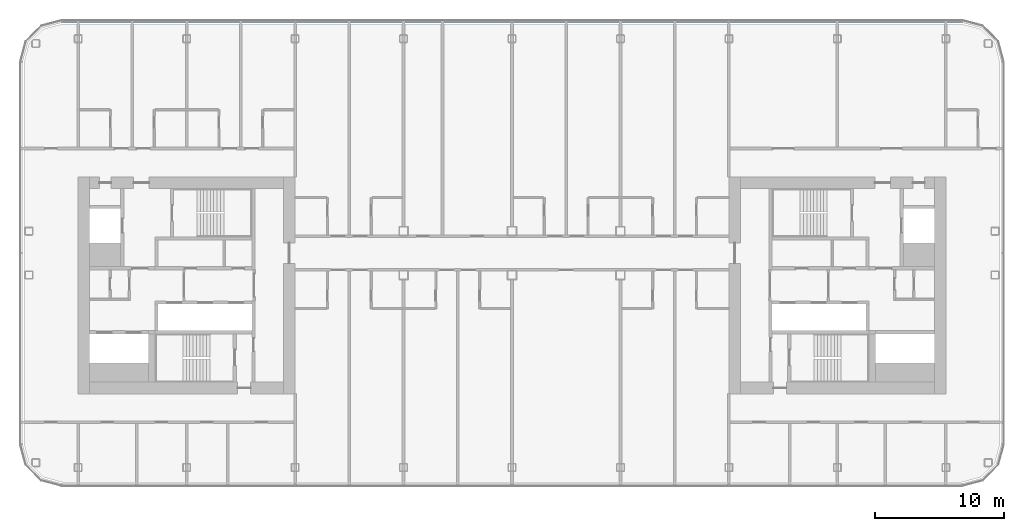
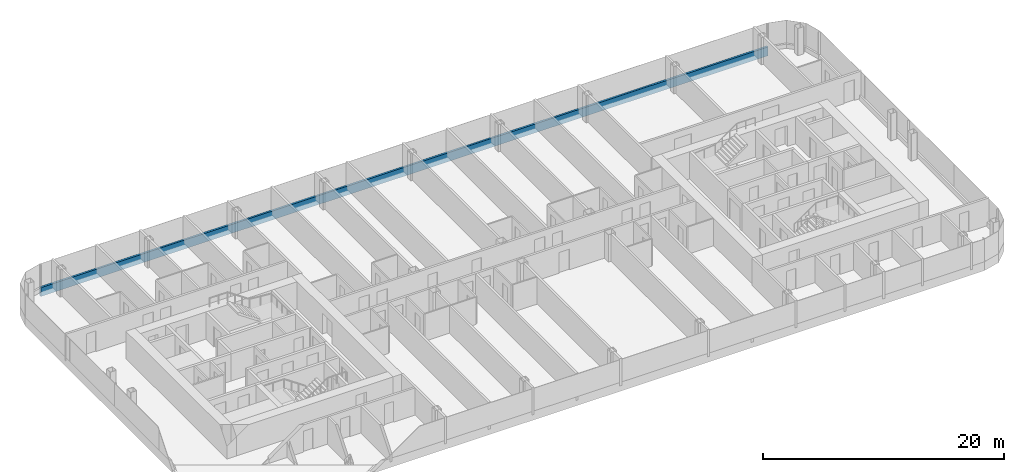
# One storey, part 8 of 26: 1 member, 1 element without a shape of its own.
"""IFC4 building model written with IfcOpenShell, lengths in metres."""

from ifc_helpers import new_model, si_unit, direction, frame, origin, origin_2d, place, context, subcontext, project, spatial, rectangle, extrude, material, layer, layer_set, material_profile, profile_set, type_object, element, aggregate, save


model = new_model("IFC4")

# Units and contexts
model_context = context("Model", 3, precision=1e-05, world=origin(), true_north=direction((0.0, 1.0)))
body_context = subcontext(model_context, "Body", "Model", "MODEL_VIEW")
ifc_project = project(units=[si_unit("LENGTHUNIT", "METRE"), si_unit("AREAUNIT", "SQUARE_METRE"), si_unit("VOLUMEUNIT", "CUBIC_METRE"), si_unit("PLANEANGLEUNIT", "RADIAN"), si_unit("MASSUNIT", "GRAM", prefix="KILO")], contexts=[model_context])

# Site, building, storey
site_placement = place(None, origin())
site = spatial("IfcSite", under=ifc_project, at=site_placement, CompositionType="ELEMENT")
building_placement = place(site_placement, origin())
building = spatial("IfcBuilding", under=site, at=building_placement, Name="Hakoniwa Tower and Hamabe Station Hall", CompositionType="ELEMENT")
storey_placement = place(building_placement, frame((0.0, 0.0, 221.800048828125)))
storey = spatial("IfcBuildingStorey", under=building, at=storey_placement, Name="L63", CompositionType="ELEMENT", Elevation=221.800048828125)

# Curtain wall, member
ifc_material_1 = material(Name="Dark low-e laminated glass", Category="glass")
ifc_layer = layer(ifc_material_1, 0.199951171875)
ifc_layer_set = layer_set([ifc_layer], Name="CW-1 UNITISED GUEST")
curtain_wall_type = type_object("IfcCurtainWallType", Name="CW-1 UNITISED GUEST", PredefinedType="NOTDEFINED", material=ifc_layer_set)
curtain_wall_placement = place(storey_placement, origin())
curtain_wall = element("IfcCurtainWall", 1, at=curtain_wall_placement, inside=storey, type_object=curtain_wall_type, Name="CW-1 curtain wall", PredefinedType="NOTDEFINED")
ifc_material_2 = material(Name="Aluminium 6063-T5 black anodised", Category="aluminium")
ifc_material_profile = material_profile(ifc_material_2, rectangle(XDim=0.199951171875, YDim=0.89990234375, at=origin_2d()), Name="CW SLAB-EDGE BAND 900X200")
ifc_profile_set = profile_set([ifc_material_profile], Name="Aluminium 6063-T5 black anodised")
member_type = type_object("IfcMemberType", Name="CW SLAB-EDGE BAND 900X200", PredefinedType="USERDEFINED", material=ifc_profile_set)
member_placement = place(storey_placement, frame((34.839599609375, 20.449951171875, -0.10009765625), z_axis=(-1.0, 0.0, 0.0), x_axis=(0.0, -1.0, 0.0)))
member = element("IfcMember", 2, at=member_placement, type_object=member_type, Name="CW-1 transom", ObjectType="TRANSOM", PredefinedType="USERDEFINED", context=body_context, shape_type="SweptSolid", body=[
    extrude(rectangle(XDim=0.199951171875, YDim=0.89990234375, at=origin_2d()), origin(), (0.0, 0.0, 1.0), 69.67919921875),
])
aggregate(curtain_wall, [member])

save(model, "model.ifc")
